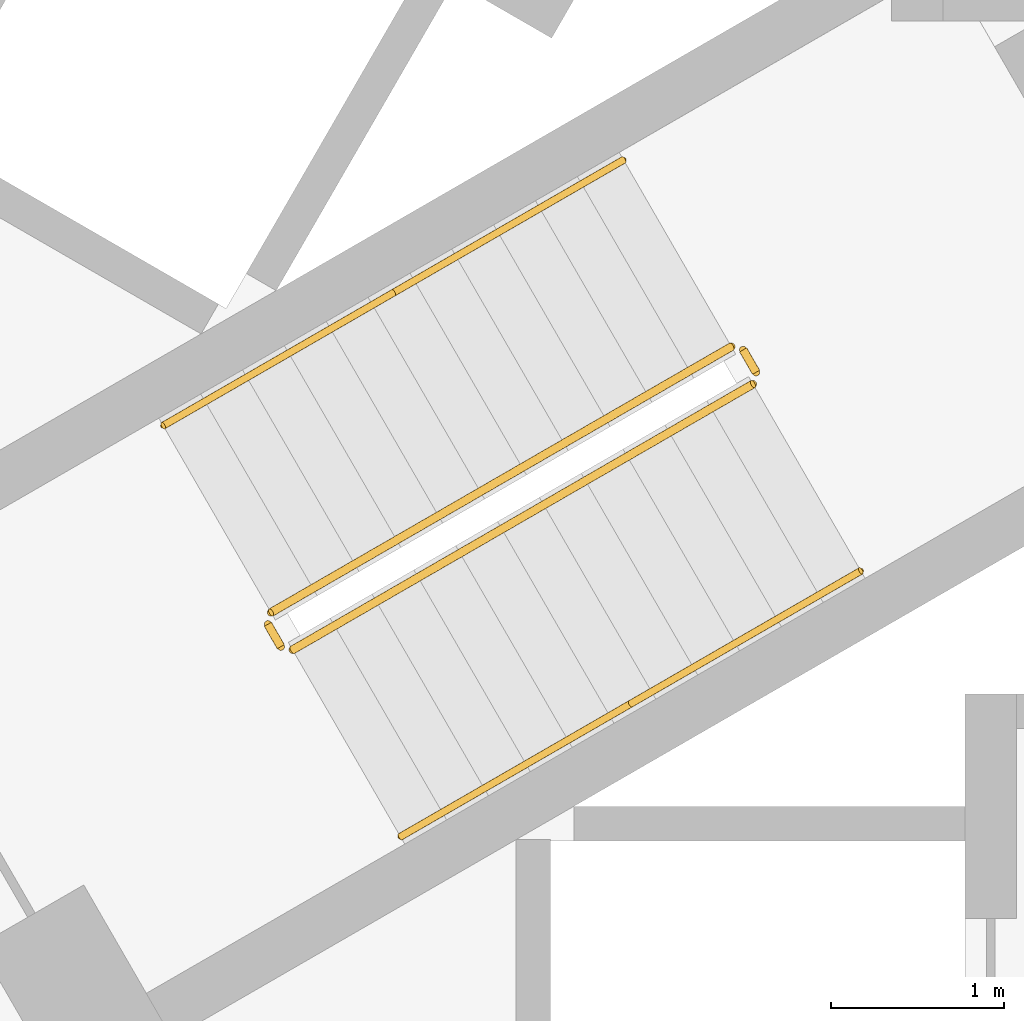
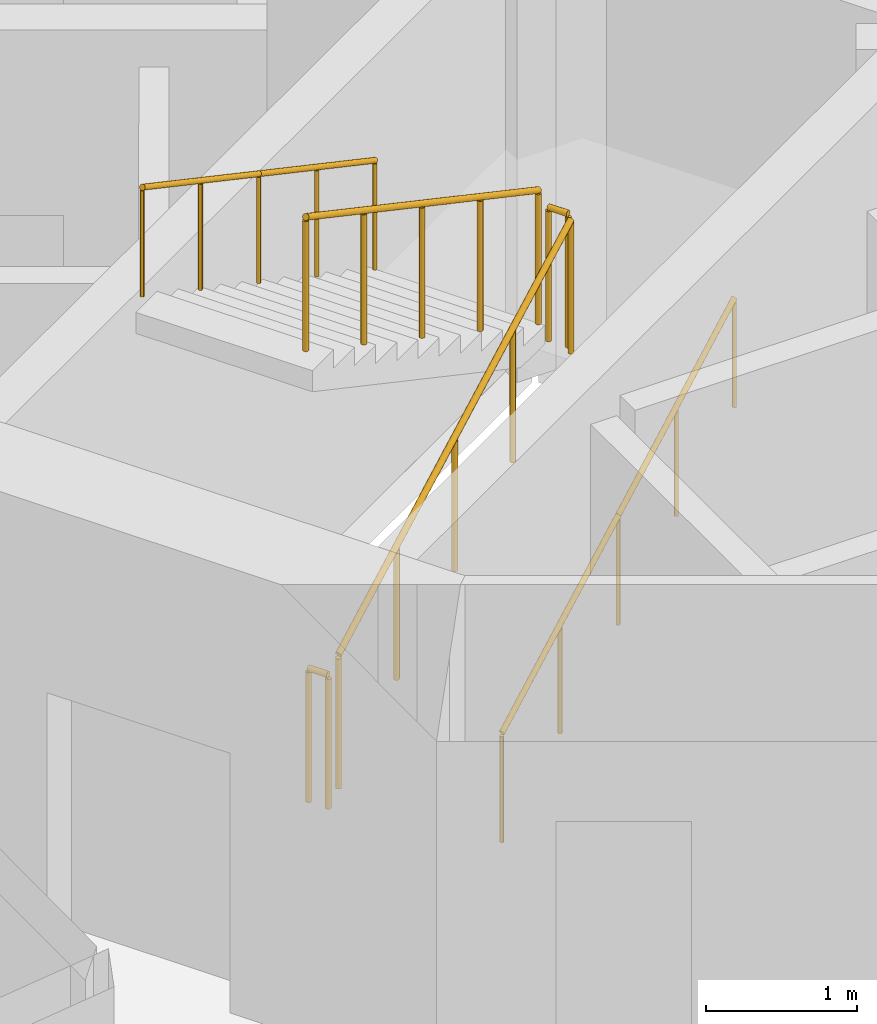
# One storey, part 10 of 14: 8 railings.
"""IFC4 building model written with IfcOpenShell, lengths in metres."""

from ifc_helpers import new_model, si_unit, direction, frame, origin, origin_2d, place, context, subcontext, project, spatial, circle, extrude, material, type_object, element, save


model = new_model("IFC4")

# Units and contexts
model_context = context("Model", 3, precision=1e-05, world=origin(), true_north=direction((0.0, 1.0)))
body_context = subcontext(model_context, "Body", "Model", "MODEL_VIEW")
ifc_project = project(units=[si_unit("LENGTHUNIT", "METRE"), si_unit("AREAUNIT", "SQUARE_METRE"), si_unit("VOLUMEUNIT", "CUBIC_METRE"), si_unit("PLANEANGLEUNIT", "RADIAN"), si_unit("MASSUNIT", "GRAM", prefix="KILO")], contexts=[model_context])

# Site, building, storey
site_placement = place(None, origin())
site = spatial("IfcSite", under=ifc_project, at=site_placement, CompositionType="ELEMENT")
building_placement = place(site_placement, origin())
building = spatial("IfcBuilding", under=site, at=building_placement, Name="Trine Commons Tower", CompositionType="ELEMENT")
storey_placement = place(building_placement, frame((0.0, 0.0, 252.89990234375)))
storey = spatial("IfcBuildingStorey", under=building, at=storey_placement, Name="L66", CompositionType="ELEMENT", Elevation=252.89990234375)

# Railings
ifc_material_1 = material(Name="Stainless steel balustrade", Category="steel")
railing_type_1 = type_object("IfcRailingType", Name="Stair guard, steel balustrade 1100", PredefinedType="GUARDRAIL", material=ifc_material_1)
railing_1_placement = place(storey_placement, frame((74.80517578125, 59.3564453125, 0.150146484375)))
element("IfcRailing", 1, at=railing_1_placement, inside=storey, type_object=railing_type_1, Name="L66 ST2C stair guard 1", PredefinedType="GUARDRAIL", context=body_context, shape_type="SweptSolid", body=[
    extrude(circle(Radius=0.02392578125, at=origin_2d()), frame((0.0, 0.0, 1.076171875), z_axis=(0.76340495495, 0.440743040072, 0.472184759798), x_axis=(-0.499992328818, 0.866029832698, 0.0)), (0.0, 0.0, 1.0), 3.494140625),
    extrude(circle(Radius=0.02099609375, at=origin_2d()), origin(), (0.0, 0.0, 1.0), 1.052001953125),
    extrude(circle(Radius=0.02099609375, at=origin_2d()), frame((0.6669921875, 0.385009765625, 0.41259765625)), (0.0, 0.0, 1.0), 1.052001953125),
    extrude(circle(Radius=0.02099609375, at=origin_2d()), frame((1.333740234375, 0.77001953125, 0.824951171875)), (0.0, 0.0, 1.0), 1.052001953125),
    extrude(circle(Radius=0.02099609375, at=origin_2d()), frame((2.00048828125, 1.155029296875, 1.2373046875)), (0.0, 0.0, 1.0), 1.052001953125),
    extrude(circle(Radius=0.02099609375, at=origin_2d()), frame((2.66748046875, 1.5400390625, 1.64990234375)), (0.0, 0.0, 1.0), 1.052001953125),
])
railing_2_placement = place(storey_placement, frame((77.490966796875, 60.96484375, 1.800048828125)))
element("IfcRailing", 2, at=railing_2_placement, inside=storey, type_object=railing_type_1, Name="L66 ST2C stair guard 2", PredefinedType="GUARDRAIL", context=body_context, shape_type="SweptSolid", body=[
    extrude(circle(Radius=0.02392578125, at=origin_2d()), frame((0.0, 0.0, 1.076171875), z_axis=(-0.501036270542, 0.865426285481, 0.0), x_axis=(-0.865426285481, -0.501036270542, 0.0)), (0.0, 0.0, 1.0), 0.150146484375),
    extrude(circle(Radius=0.02099609375, at=origin_2d()), origin(), (0.0, 0.0, 1.0), 1.052001953125),
    extrude(circle(Radius=0.02099609375, at=origin_2d()), frame((-0.0751953125, 0.1298828125, 0.0)), (0.0, 0.0, 1.0), 1.052001953125),
])
railing_3_placement = place(storey_placement, frame((77.34765625, 61.113037109375, 1.9501953125)))
element("IfcRailing", 3, at=railing_3_placement, inside=storey, type_object=railing_type_1, Name="L66 ST2C stair guard 3", PredefinedType="GUARDRAIL", context=body_context, shape_type="SweptSolid", body=[
    extrude(circle(Radius=0.02392578125, at=origin_2d()), frame((0.0, 0.0, 1.076171875), z_axis=(-0.76340495495, -0.440743040072, 0.472184759798), x_axis=(0.499992328818, -0.866029832698, 0.0)), (0.0, 0.0, 1.0), 3.494140625),
    extrude(circle(Radius=0.02099609375, at=origin_2d()), origin(), (0.0, 0.0, 1.0), 1.052001953125),
    extrude(circle(Radius=0.02099609375, at=origin_2d()), frame((-0.6669921875, -0.385009765625, 0.41259765625)), (0.0, 0.0, 1.0), 1.052001953125),
    extrude(circle(Radius=0.02099609375, at=origin_2d()), frame((-1.333740234375, -0.77001953125, 0.824951171875)), (0.0, 0.0, 1.0), 1.052001953125),
    extrude(circle(Radius=0.02099609375, at=origin_2d()), frame((-2.00048828125, -1.155029296875, 1.2373046875)), (0.0, 0.0, 1.0), 1.052001953125),
    extrude(circle(Radius=0.02099609375, at=origin_2d()), frame((-2.66748046875, -1.5400390625, 1.64990234375)), (0.0, 0.0, 1.0), 1.052001953125),
])
railing_4_placement = place(storey_placement, frame((74.73681640625, 59.374755859375, 0.0)))
element("IfcRailing", 4, at=railing_4_placement, inside=storey, type_object=railing_type_1, Name="L66 ST2C stair guard 4", PredefinedType="GUARDRAIL", context=body_context, shape_type="SweptSolid", body=[
    extrude(circle(Radius=0.02392578125, at=origin_2d()), frame((0.0, 0.0, 1.076171875), z_axis=(-0.499816412211, 0.866131372301, 0.0), x_axis=(-0.866131372301, -0.499816412211, 0.0)), (0.0, 0.0, 1.0), 0.14990234375),
    extrude(circle(Radius=0.02099609375, at=origin_2d()), origin(), (0.0, 0.0, 1.0), 1.052001953125),
    extrude(circle(Radius=0.02099609375, at=origin_2d()), frame((-0.074951171875, 0.1298828125, 0.0)), (0.0, 0.0, 1.0), 1.052001953125),
])
ifc_material_2 = material(Name="Stainless steel handrail", Category="steel")
railing_type_2 = type_object("IfcRailingType", Name="Stair handrail, steel 900", PredefinedType="HANDRAIL", material=ifc_material_2)
for number, where, name in (
    (5, (75.43017578125, 58.27392578125, 0.150146484375), "L66 ST2C stair handrail 1"),
    (6, (76.763916015625, 59.0439453125, 0.97509765625), "L66 ST2C stair handrail 2"),
):
    element("IfcRailing", number, at=place(storey_placement, frame(where)), inside=storey, type_object=railing_type_2, Name=name, PredefinedType="HANDRAIL", context=body_context, shape_type="SweptSolid", body=[
        extrude(circle(Radius=0.02099609375, at=origin_2d()), frame((0.0, 0.0, 0.87890625), z_axis=(0.76340495495, 0.440743040072, 0.472184759798), x_axis=(-0.499992328818, 0.866029832698, 0.0)), (0.0, 0.0, 1.0), 1.7470703125),
        extrude(circle(Radius=0.01513671875, at=origin_2d()), origin(), (0.0, 0.0, 1.0), 0.85791015625),
        extrude(circle(Radius=0.01513671875, at=origin_2d()), frame((0.6669921875, 0.385009765625, 0.41259765625)), (0.0, 0.0, 1.0), 0.85791015625),
        extrude(circle(Radius=0.01513671875, at=origin_2d()), frame((1.333740234375, 0.77001953125, 0.824951171875)), (0.0, 0.0, 1.0), 0.85791015625),
    ])
for number, where, name in (
    (7, (76.72265625, 62.195556640625, 1.9501953125), "L66 ST2C stair handrail 3"),
    (8, (75.388916015625, 61.425537109375, 2.775146484375), "L66 ST2C stair handrail 4"),
):
    element("IfcRailing", number, at=place(storey_placement, frame(where)), inside=storey, type_object=railing_type_2, Name=name, PredefinedType="HANDRAIL", context=body_context, shape_type="SweptSolid", body=[
        extrude(circle(Radius=0.02099609375, at=origin_2d()), frame((0.0, 0.0, 0.87890625), z_axis=(-0.76340495495, -0.440743040072, 0.472184759798), x_axis=(0.499992328818, -0.866029832698, 0.0)), (0.0, 0.0, 1.0), 1.7470703125),
        extrude(circle(Radius=0.01513671875, at=origin_2d()), origin(), (0.0, 0.0, 1.0), 0.85791015625),
        extrude(circle(Radius=0.01513671875, at=origin_2d()), frame((-0.6669921875, -0.385009765625, 0.41259765625)), (0.0, 0.0, 1.0), 0.85791015625),
        extrude(circle(Radius=0.01513671875, at=origin_2d()), frame((-1.333740234375, -0.77001953125, 0.824951171875)), (0.0, 0.0, 1.0), 0.85791015625),
    ])

save(model, "model.ifc")
